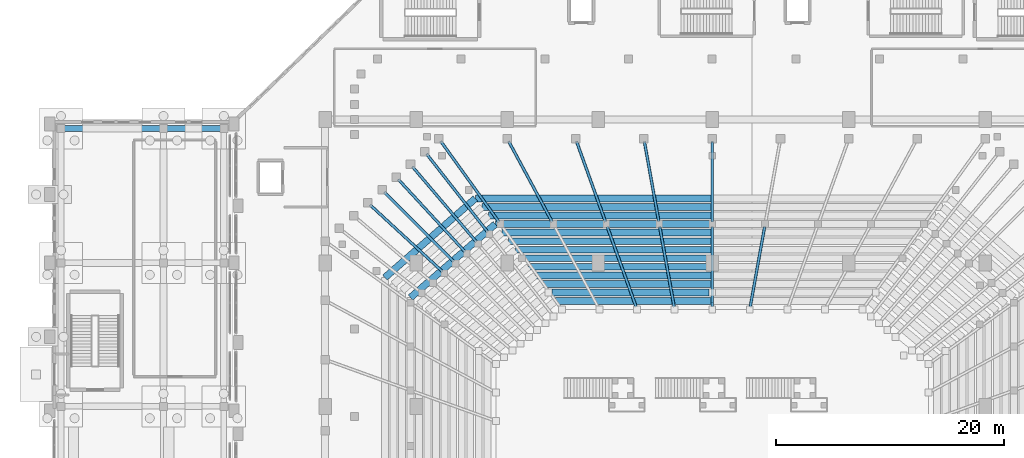
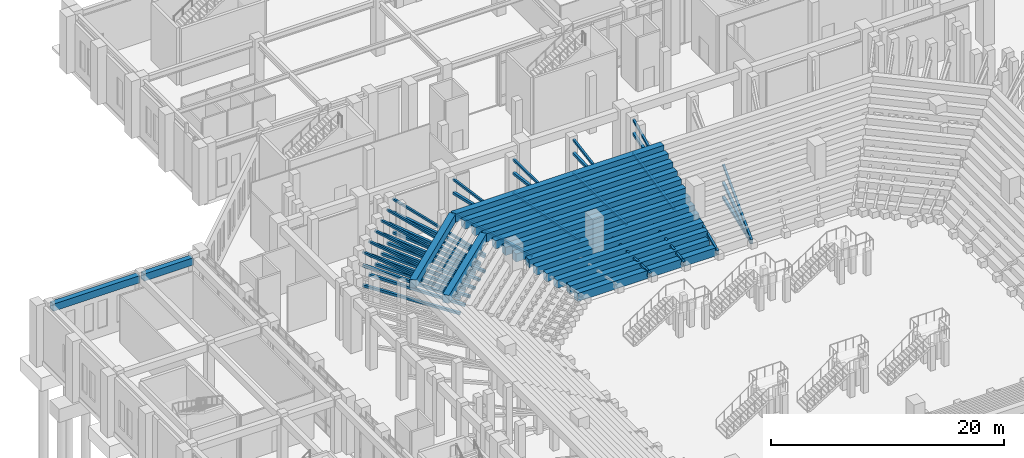
# One storey, part 45 of 143: 42 members, 17 beams.
"""IFC4 building model written with IfcOpenShell, lengths in metres."""

from ifc_helpers import new_model, si_unit, derived_unit, direction, frame, origin, origin_2d, place, context, subcontext, project, spatial, rectangle, hollow_rectangle, extrude, material, material_profile, profile_set, type_object, element, save


model = new_model("IFC4")

# Units and contexts
model_context = context("Model", 3, precision=1e-05, world=origin(), true_north=direction((0.0, 1.0)))
body_context = subcontext(model_context, "Body", "Model", "MODEL_VIEW")
ifc_project = project(units=[si_unit("LENGTHUNIT", "METRE"), si_unit("AREAUNIT", "SQUARE_METRE"), si_unit("VOLUMEUNIT", "CUBIC_METRE"), si_unit("PLANEANGLEUNIT", "RADIAN"), si_unit("MASSUNIT", "GRAM", prefix="KILO"), derived_unit("THERMALTRANSMITTANCEUNIT", [(si_unit("MASSUNIT", "GRAM", prefix="KILO"), 1), (si_unit("TIMEUNIT", "SECOND"), -3), (si_unit("THERMODYNAMICTEMPERATUREUNIT", "KELVIN"), -1)])], contexts=[model_context])

# Site, building, storey
site_placement = place(None, origin())
site = spatial("IfcSite", under=ifc_project, at=site_placement, CompositionType="ELEMENT")
building_placement = place(site_placement, origin())
building = spatial("IfcBuilding", under=site, at=building_placement, Name="Valcora Ridge Arena", CompositionType="ELEMENT")
storey_placement = place(building_placement, origin())
storey = spatial("IfcBuildingStorey", under=building, at=storey_placement, Name="L00", CompositionType="ELEMENT", Elevation=0.0)

# Beams
ifc_material_1 = material(Name="Concrete C40/50", Category="concrete")
ifc_material_profile_1 = material_profile(ifc_material_1, rectangle(XDim=0.60009765625, YDim=0.85009765625, at=origin_2d()), Name="RC 600x850")
ifc_profile_set_1 = profile_set([ifc_material_profile_1], Name="Concrete C40/50")
beam_type_1 = type_object("IfcBeamType", Name="TY-BEAM-B-RC600-X", PredefinedType="BEAM", material=ifc_profile_set_1)
beam_1_placement = place(storey_placement, frame((58.0, 79.64990234375, 0.4150390625), z_axis=(-1.0, 0.0, 0.0), x_axis=(0.0, -1.0, 0.0)))
element("IfcBeam", 1, at=beam_1_placement, inside=storey, type_object=beam_type_1, Name="B-RC600-X BEM-R2-B-RC600-X-0008", PredefinedType="BEAM", context=body_context, shape_type="SweptSolid", body=[
    extrude(rectangle(XDim=0.60009765625, YDim=0.85009765625, at=origin_2d()), origin(), (0.0, 0.0, 1.0), 13.784912109375),
])
beam_2_placement = place(storey_placement, frame((57.719970703125, 80.39990234375, 0.85498046875), z_axis=(-1.0, 0.0, 0.0), x_axis=(0.0, -1.0, 0.0)))
element("IfcBeam", 2, at=beam_2_placement, inside=storey, type_object=beam_type_1, Name="B-RC600-X BEM-R2-B-RC600-X-0020", PredefinedType="BEAM", context=body_context, shape_type="SweptSolid", body=[
    extrude(rectangle(XDim=0.60009765625, YDim=0.85009765625, at=origin_2d()), origin(), (0.0, 0.0, 1.0), 13.81005859375),
])
beam_3_placement = place(storey_placement, frame((58.0, 81.14990234375, 1.294921875), z_axis=(-1.0, 0.0, 0.0), x_axis=(0.0, -1.0, 0.0)))
element("IfcBeam", 3, at=beam_3_placement, inside=storey, type_object=beam_type_1, Name="B-RC600-X BEM-R2-B-RC600-X-0032", PredefinedType="BEAM", context=body_context, shape_type="SweptSolid", body=[
    extrude(rectangle(XDim=0.60009765625, YDim=0.85009765625, at=origin_2d()), origin(), (0.0, 0.0, 1.0), 14.955078125),
])
beam_4_placement = place(storey_placement, frame((58.0, 81.89990234375, 1.735107421875), z_axis=(-1.0, 0.0, 0.0), x_axis=(0.0, -1.0, 0.0)))
element("IfcBeam", 4, at=beam_4_placement, inside=storey, type_object=beam_type_1, Name="B-RC600-X BEM-R2-B-RC600-X-0044", PredefinedType="BEAM", context=body_context, shape_type="SweptSolid", body=[
    extrude(rectangle(XDim=0.60009765625, YDim=0.85009765625, at=origin_2d()), origin(), (0.0, 0.0, 1.0), 15.5400390625),
])
beam_5_placement = place(storey_placement, frame((58.0, 82.64990234375, 2.175048828125), z_axis=(-1.0, 0.0, 0.0), x_axis=(0.0, -1.0, 0.0)))
element("IfcBeam", 5, at=beam_5_placement, inside=storey, type_object=beam_type_1, Name="B-RC600-X BEM-R2-B-RC600-X-0056", PredefinedType="BEAM", context=body_context, shape_type="SweptSolid", body=[
    extrude(rectangle(XDim=0.60009765625, YDim=0.85009765625, at=origin_2d()), origin(), (0.0, 0.0, 1.0), 16.125),
])
beam_6_placement = place(storey_placement, frame((58.0, 83.39990234375, 2.614990234375), z_axis=(-1.0, 0.0, 0.0), x_axis=(0.0, -1.0, 0.0)))
element("IfcBeam", 6, at=beam_6_placement, inside=storey, type_object=beam_type_1, Name="B-RC600-X BEM-R2-B-RC600-X-0068", PredefinedType="BEAM", context=body_context, shape_type="SweptSolid", body=[
    extrude(rectangle(XDim=0.60009765625, YDim=0.85009765625, at=origin_2d()), origin(), (0.0, 0.0, 1.0), 16.429931640625),
])
beam_7_placement = place(storey_placement, frame((58.0, 84.14990234375, 3.054931640625), z_axis=(-1.0, 0.0, 0.0), x_axis=(0.0, -1.0, 0.0)))
element("IfcBeam", 7, at=beam_7_placement, inside=storey, type_object=beam_type_1, Name="B-RC600-X BEM-R2-B-RC600-X-0080", PredefinedType="BEAM", context=body_context, shape_type="SweptSolid", body=[
    extrude(rectangle(XDim=0.60009765625, YDim=0.85009765625, at=origin_2d()), origin(), (0.0, 0.0, 1.0), 17.294921875),
])
beam_8_placement = place(storey_placement, frame((58.0, 84.89990234375, 3.4951171875), z_axis=(-1.0, 0.0, 0.0), x_axis=(0.0, -1.0, 0.0)))
element("IfcBeam", 8, at=beam_8_placement, inside=storey, type_object=beam_type_1, Name="B-RC600-X BEM-R2-B-RC600-X-0092", PredefinedType="BEAM", context=body_context, shape_type="SweptSolid", body=[
    extrude(rectangle(XDim=0.60009765625, YDim=0.85009765625, at=origin_2d()), origin(), (0.0, 0.0, 1.0), 17.8798828125),
])
beam_9_placement = place(storey_placement, frame((58.0, 85.64990234375, 3.93505859375), z_axis=(-1.0, 0.0, 0.0), x_axis=(0.0, -1.0, 0.0)))
element("IfcBeam", 9, at=beam_9_placement, inside=storey, type_object=beam_type_1, Name="B-RC600-X BEM-R2-B-RC600-X-0104", PredefinedType="BEAM", context=body_context, shape_type="SweptSolid", body=[
    extrude(rectangle(XDim=0.60009765625, YDim=0.85009765625, at=origin_2d()), origin(), (0.0, 0.0, 1.0), 18.465087890625),
])
beam_10_placement = place(storey_placement, frame((58.0, 86.39990234375, 4.375), z_axis=(-1.0, 0.0, 0.0), x_axis=(0.0, -1.0, 0.0)))
element("IfcBeam", 10, at=beam_10_placement, inside=storey, type_object=beam_type_1, Name="B-RC600-X BEM-R2-B-RC600-X-0116", PredefinedType="BEAM", context=body_context, shape_type="SweptSolid", body=[
    extrude(rectangle(XDim=0.60009765625, YDim=0.85009765625, at=origin_2d()), origin(), (0.0, 0.0, 1.0), 19.050048828125),
])
beam_11_placement = place(storey_placement, frame((38.949951171875, 86.39990234375, 4.375), z_axis=(-0.756024144683, -0.654543728605, 0.0), x_axis=(0.654543728605, -0.756024144683, 0.0)))
element("IfcBeam", 11, at=beam_11_placement, inside=storey, type_object=beam_type_1, Name="B-RC600-X BEM-R2-B-RC600-X-0117", PredefinedType="BEAM", context=body_context, shape_type="SweptSolid", body=[
    extrude(rectangle(XDim=0.60009765625, YDim=0.85009765625, at=origin_2d()), origin(), (0.0, 0.0, 1.0), 9.85400390625),
])
beam_12_placement = place(storey_placement, frame((58.0, 87.14990234375, 4.81494140625), z_axis=(-1.0, 0.0, 0.0), x_axis=(0.0, -1.0, 0.0)))
element("IfcBeam", 12, at=beam_12_placement, inside=storey, type_object=beam_type_1, Name="B-RC600-X BEM-R2-B-RC600-X-0128", PredefinedType="BEAM", context=body_context, shape_type="SweptSolid", body=[
    extrude(rectangle(XDim=0.60009765625, YDim=0.85009765625, at=origin_2d()), origin(), (0.0, 0.0, 1.0), 19.635009765625),
])
beam_13_placement = place(storey_placement, frame((58.0, 87.89990234375, 5.2548828125), z_axis=(-1.0, 0.0, 0.0), x_axis=(0.0, -1.0, 0.0)))
element("IfcBeam", 13, at=beam_13_placement, inside=storey, type_object=beam_type_1, Name="B-RC600-X BEM-R2-B-RC600-X-0140", PredefinedType="BEAM", context=body_context, shape_type="SweptSolid", body=[
    extrude(rectangle(XDim=0.60009765625, YDim=0.85009765625, at=origin_2d()), origin(), (0.0, 0.0, 1.0), 20.219970703125),
])
beam_14_placement = place(storey_placement, frame((58.0, 88.64990234375, 5.695068359375), z_axis=(-1.0, 0.0, 0.0), x_axis=(0.0, -1.0, 0.0)))
element("IfcBeam", 14, at=beam_14_placement, inside=storey, type_object=beam_type_1, Name="B-RC600-X BEM-R2-B-RC600-X-0152", PredefinedType="BEAM", context=body_context, shape_type="SweptSolid", body=[
    extrude(rectangle(XDim=0.60009765625, YDim=0.85009765625, at=origin_2d()), origin(), (0.0, 0.0, 1.0), 20.804931640625),
])
beam_15_placement = place(storey_placement, frame((37.195068359375, 88.64990234375, 5.695068359375), z_axis=(-0.752910532451, -0.658122883757, 0.0), x_axis=(0.658122883757, -0.752910532451, 0.0)))
element("IfcBeam", 15, at=beam_15_placement, inside=storey, type_object=beam_type_1, Name="B-RC600-X BEM-R2-B-RC600-X-0153", PredefinedType="BEAM", context=body_context, shape_type="SweptSolid", body=[
    extrude(rectangle(XDim=0.60009765625, YDim=0.85009765625, at=origin_2d()), origin(), (0.0, 0.0, 1.0), 10.552490234375),
])
ifc_material_profile_2 = material_profile(ifc_material_1, rectangle(XDim=0.5, YDim=0.75, at=origin_2d()), Name="RC 500x750")
ifc_profile_set_2 = profile_set([ifc_material_profile_2], Name="Concrete C40/50")
beam_type_2 = type_object("IfcBeamType", Name="TY-BEAM-EB-RC500", PredefinedType="BEAM", material=ifc_profile_set_2)
beam_16_placement = place(storey_placement, frame((1.0, 94.800048828125, 5.264892578125), z_axis=(1.0, 0.0, 0.0), x_axis=(0.0, 1.0, 0.0)))
element("IfcBeam", 16, at=beam_16_placement, inside=storey, type_object=beam_type_2, Name="EB-RC500 BEM-EB-RC500-0008", PredefinedType="BEAM", context=body_context, shape_type="SweptSolid", body=[
    extrude(rectangle(XDim=0.5, YDim=0.75, at=origin_2d()), origin(), (0.0, 0.0, 1.0), 8.60009765625),
])
beam_17_placement = place(storey_placement, frame((10.0, 94.800048828125, 5.264892578125), z_axis=(1.0, 0.0, 0.0), x_axis=(0.0, 1.0, 0.0)))
element("IfcBeam", 17, at=beam_17_placement, inside=storey, type_object=beam_type_2, Name="EB-RC500 BEM-EB-RC500-0009", PredefinedType="BEAM", context=body_context, shape_type="SweptSolid", body=[
    extrude(rectangle(XDim=0.5, YDim=0.75, at=origin_2d()), origin(), (0.0, 0.0, 1.0), 4.89990234375),
])

# Members
ifc_material_2 = material(Name="Steel ASTM A500 Grade C", Category="steel")
ifc_material_profile_3 = material_profile(ifc_material_2, hollow_rectangle(XDim=0.25, YDim=0.25, WallThickness=0.012451171875, at=origin_2d()), Name="HSS250X250X12")
ifc_profile_set_3 = profile_set([ifc_material_profile_3], Name="Steel ASTM A500 Grade C")
member_type_1 = type_object("IfcMemberType", Name="TY-MEMBER-RKRC-251", PredefinedType="CHORD", material=ifc_profile_set_3)
member_1_placement = place(storey_placement, frame((61.34130859375, 79.130126953125, 0.3037109375), z_axis=(0.172681642525, 0.959213092315, 0.223810843943), x_axis=(-0.984179158109, 0.177176140445, 0.0)))
element("IfcMember", 18, at=member_1_placement, inside=storey, type_object=member_type_1, Name="RKRC-251 MBR-RK-RKRC-251-0034", PredefinedType="CHORD", context=body_context, shape_type="SweptSolid", body=[
    extrude(hollow_rectangle(XDim=0.25, YDim=0.25, WallThickness=0.012451171875, at=origin_2d()), origin(), (0.0, 0.0, 1.0), 7.339111328125),
])
member_2_placement = place(storey_placement, frame((58.0, 79.1337890625, 0.304443359375), z_axis=(0.0, 0.973834975052, 0.22725633405), x_axis=(-1.0, 0.0, 0.0)))
element("IfcMember", 19, at=member_2_placement, inside=storey, type_object=member_type_1, Name="RKRC-251 MBR-RK-RKRC-251-0035", PredefinedType="CHORD", context=body_context, shape_type="SweptSolid", body=[
    extrude(hollow_rectangle(XDim=0.25, YDim=0.25, WallThickness=0.012451171875, at=origin_2d()), origin(), (0.0, 0.0, 1.0), 7.221435546875),
])
member_3_placement = place(storey_placement, frame((54.65869140625, 79.130126953125, 0.3037109375), z_axis=(-0.172681642525, 0.959213092315, 0.223810843943), x_axis=(-0.984179158109, -0.177176140445, 0.0)))
element("IfcMember", 20, at=member_3_placement, inside=storey, type_object=member_type_1, Name="RKRC-251 MBR-RK-RKRC-251-0036", PredefinedType="CHORD", context=body_context, shape_type="SweptSolid", body=[
    extrude(hollow_rectangle(XDim=0.25, YDim=0.25, WallThickness=0.012451171875, at=origin_2d()), origin(), (0.0, 0.0, 1.0), 7.339111328125),
])
member_4_placement = place(storey_placement, frame((51.320556640625, 79.12060546875, 0.301513671875), z_axis=(-0.330850255217, 0.919000233363, 0.214421733278), x_axis=(-0.940884093102, -0.338728686926, 0.0)))
element("IfcMember", 21, at=member_4_placement, inside=storey, type_object=member_type_1, Name="RKRC-251 MBR-RK-RKRC-251-0037", PredefinedType="CHORD", context=body_context, shape_type="SweptSolid", body=[
    extrude(hollow_rectangle(XDim=0.25, YDim=0.25, WallThickness=0.012451171875, at=origin_2d()), origin(), (0.0, 0.0, 1.0), 7.680908203125),
])
ifc_material_profile_4 = material_profile(ifc_material_2, hollow_rectangle(XDim=0.25, YDim=0.25, WallThickness=0.012451171875, at=origin_2d()), Name="HSS250X250X12")
ifc_profile_set_4 = profile_set([ifc_material_profile_4], Name="Steel ASTM A500 Grade C")
member_type_2 = type_object("IfcMemberType", Name="TY-MEMBER-RKRC-252", PredefinedType="CHORD", material=ifc_profile_set_4)
member_5_placement = place(storey_placement, frame((58.0, 86.62939453125, 2.0703125), z_axis=(0.0, 0.95604885156, 0.293207423901), x_axis=(-1.0, 0.0, 0.0)))
element("IfcMember", 22, at=member_5_placement, inside=storey, type_object=member_type_2, Name="RKRC-252 MBR-RK-RKRC-252-0035", PredefinedType="CHORD", context=body_context, shape_type="SweptSolid", body=[
    extrude(hollow_rectangle(XDim=0.25, YDim=0.25, WallThickness=0.012451171875, at=origin_2d()), origin(), (0.0, 0.0, 1.0), 7.324951171875),
])
member_6_placement = place(storey_placement, frame((53.309326171875, 86.626220703125, 2.0693359375), z_axis=(-0.169586463924, 0.942209005154, 0.288933594204), x_axis=(-0.984185355806, -0.177141709985, 0.0)))
element("IfcMember", 23, at=member_6_placement, inside=storey, type_object=member_type_2, Name="RKRC-252 MBR-RK-RKRC-252-0036", PredefinedType="CHORD", context=body_context, shape_type="SweptSolid", body=[
    extrude(hollow_rectangle(XDim=0.25, YDim=0.25, WallThickness=0.012451171875, at=origin_2d()), origin(), (0.0, 0.0, 1.0), 7.43994140625),
])
member_7_placement = place(storey_placement, frame((48.621826171875, 86.616943359375, 2.06640625), z_axis=(-0.325435833964, 0.904005869091, 0.277245210277), x_axis=(-0.940889494564, -0.338713682953, 0.0)))
element("IfcMember", 24, at=member_7_placement, inside=storey, type_object=member_type_2, Name="RKRC-252 MBR-RK-RKRC-252-0037", PredefinedType="CHORD", context=body_context, shape_type="SweptSolid", body=[
    extrude(hollow_rectangle(XDim=0.25, YDim=0.25, WallThickness=0.012451171875, at=origin_2d()), origin(), (0.0, 0.0, 1.0), 7.776611328125),
])
member_8_placement = place(storey_placement, frame((43.93994140625, 86.60400390625, 2.0625), z_axis=(-0.458754301342, 0.849512352792, 0.260524957449), x_axis=(-0.879897762683, -0.475163053304, 0.0)))
element("IfcMember", 25, at=member_8_placement, inside=storey, type_object=member_type_2, Name="RKRC-252 MBR-RK-RKRC-252-0038", PredefinedType="CHORD", context=body_context, shape_type="SweptSolid", body=[
    extrude(hollow_rectangle(XDim=0.25, YDim=0.25, WallThickness=0.012451171875, at=origin_2d()), origin(), (0.0, 0.0, 1.0), 8.308349609375),
])
member_9_placement = place(storey_placement, frame((39.263916015625, 86.589111328125, 2.05810546875), z_axis=(-0.567023988691, 0.787504695115, 0.241495655075), x_axis=(-0.811524271205, -0.584318712044, 0.0)))
element("IfcMember", 26, at=member_9_placement, inside=storey, type_object=member_type_2, Name="RKRC-252 MBR-RK-RKRC-252-0039", PredefinedType="CHORD", context=body_context, shape_type="SweptSolid", body=[
    extrude(hollow_rectangle(XDim=0.25, YDim=0.25, WallThickness=0.012451171875, at=origin_2d()), origin(), (0.0, 0.0, 1.0), 9.003662109375),
])
member_10_placement = place(storey_placement, frame((38.26904296875, 85.720947265625, 2.058349609375), z_axis=(-0.597760906174, 0.76402679326, 0.242785827904), x_axis=(-0.787591600786, -0.616197590364, 0.0)))
element("IfcMember", 27, at=member_10_placement, inside=storey, type_object=member_type_2, Name="RKRC-252 MBR-RK-RKRC-252-0040", PredefinedType="CHORD", context=body_context, shape_type="SweptSolid", body=[
    extrude(hollow_rectangle(XDim=0.25, YDim=0.25, WallThickness=0.012451171875, at=origin_2d()), origin(), (0.0, 0.0, 1.0), 8.95263671875),
])
member_11_placement = place(storey_placement, frame((37.2744140625, 84.852294921875, 2.05859375), z_axis=(-0.627887993497, 0.739162056186, 0.243713196848), x_axis=(-0.762142679465, -0.647409094884, 0.0)))
element("IfcMember", 28, at=member_11_placement, inside=storey, type_object=member_type_2, Name="RKRC-252 MBR-RK-RKRC-252-0041", PredefinedType="CHORD", context=body_context, shape_type="SweptSolid", body=[
    extrude(hollow_rectangle(XDim=0.25, YDim=0.25, WallThickness=0.012451171875, at=origin_2d()), origin(), (0.0, 0.0, 1.0), 8.91650390625),
])
member_12_placement = place(storey_placement, frame((36.27978515625, 83.983642578125, 2.05859375), z_axis=(-0.657223207673, 0.712998247682, 0.244317731853), x_axis=(-0.735280759397, -0.677762646404, 0.0)))
element("IfcMember", 29, at=member_12_placement, inside=storey, type_object=member_type_2, Name="RKRC-252 MBR-RK-RKRC-252-0042", PredefinedType="CHORD", context=body_context, shape_type="SweptSolid", body=[
    extrude(hollow_rectangle(XDim=0.25, YDim=0.25, WallThickness=0.012451171875, at=origin_2d()), origin(), (0.0, 0.0, 1.0), 8.89453125),
])
member_13_placement = place(storey_placement, frame((35.285400390625, 83.114501953125, 2.05859375), z_axis=(-0.685647133056, 0.685647133056, 0.244491345174), x_axis=(-0.707106781187, -0.707106781187, 0.0)))
element("IfcMember", 30, at=member_13_placement, inside=storey, type_object=member_type_2, Name="RKRC-252 MBR-RK-RKRC-252-0043", PredefinedType="CHORD", context=body_context, shape_type="SweptSolid", body=[
    extrude(hollow_rectangle(XDim=0.25, YDim=0.25, WallThickness=0.012451171875, at=origin_2d()), origin(), (0.0, 0.0, 1.0), 8.88720703125),
])
member_14_placement = place(storey_placement, frame((34.29150390625, 82.2451171875, 2.05859375), z_axis=(-0.712985385494, 0.657238799494, 0.244313324464), x_axis=(-0.677777949343, -0.735266653252, 0.0)))
element("IfcMember", 31, at=member_14_placement, inside=storey, type_object=member_type_2, Name="RKRC-252 MBR-RK-RKRC-252-0044", PredefinedType="CHORD", context=body_context, shape_type="SweptSolid", body=[
    extrude(hollow_rectangle(XDim=0.25, YDim=0.25, WallThickness=0.012451171875, at=origin_2d()), origin(), (0.0, 0.0, 1.0), 8.894775390625),
])
ifc_material_profile_5 = material_profile(ifc_material_2, hollow_rectangle(XDim=0.25, YDim=0.25, WallThickness=0.012451171875, at=origin_2d()), Name="HSS250X250X12")
ifc_profile_set_5 = profile_set([ifc_material_profile_5], Name="Steel ASTM A500 Grade C")
member_type_3 = type_object("IfcMemberType", Name="TY-MEMBER-RKRC-254", PredefinedType="CHORD", material=ifc_profile_set_5)
member_15_placement = place(storey_placement, frame((61.342529296875, 79.13623046875, 0.39990234375), z_axis=(0.177143062941, 0.984185112289, 0.0), x_axis=(-0.984185112289, 0.177143062941, 0.0)))
element("IfcMember", 32, at=member_15_placement, inside=storey, type_object=member_type_3, Name="RKRC-254 MBR-RK-RKRC-254-0034", PredefinedType="CHORD", context=body_context, shape_type="SweptSolid", body=[
    extrude(hollow_rectangle(XDim=0.25, YDim=0.25, WallThickness=0.012451171875, at=origin_2d()), origin(), (0.0, 0.0, 1.0), 7.140625),
])
member_16_placement = place(storey_placement, frame((58.0, 79.139892578125, 0.39990234375), z_axis=(0.0, 1.0, 0.0), x_axis=(-1.0, 0.0, 0.0)))
element("IfcMember", 33, at=member_16_placement, inside=storey, type_object=member_type_3, Name="RKRC-254 MBR-RK-RKRC-254-0035", PredefinedType="CHORD", context=body_context, shape_type="SweptSolid", body=[
    extrude(hollow_rectangle(XDim=0.25, YDim=0.25, WallThickness=0.012451171875, at=origin_2d()), origin(), (0.0, 0.0, 1.0), 7.02001953125),
])
member_17_placement = place(storey_placement, frame((54.657470703125, 79.13623046875, 0.39990234375), z_axis=(-0.177143062941, 0.984185112289, 0.0), x_axis=(-0.984185112289, -0.177143062941, 0.0)))
element("IfcMember", 34, at=member_17_placement, inside=storey, type_object=member_type_3, Name="RKRC-254 MBR-RK-RKRC-254-0036", PredefinedType="CHORD", context=body_context, shape_type="SweptSolid", body=[
    extrude(hollow_rectangle(XDim=0.25, YDim=0.25, WallThickness=0.012451171875, at=origin_2d()), origin(), (0.0, 0.0, 1.0), 7.140625),
])
member_18_placement = place(storey_placement, frame((51.318603515625, 79.125732421875, 0.39990234375), z_axis=(-0.338703311925, 0.940893227997, 0.0), x_axis=(-0.940893227997, -0.338703311925, 0.0)))
element("IfcMember", 35, at=member_18_placement, inside=storey, type_object=member_type_3, Name="RKRC-254 MBR-RK-RKRC-254-0037", PredefinedType="CHORD", context=body_context, shape_type="SweptSolid", body=[
    extrude(hollow_rectangle(XDim=0.25, YDim=0.25, WallThickness=0.012451171875, at=origin_2d()), origin(), (0.0, 0.0, 1.0), 7.491455078125),
])
ifc_material_profile_6 = material_profile(ifc_material_2, hollow_rectangle(XDim=0.25, YDim=0.25, WallThickness=0.012451171875, at=origin_2d()), Name="HSS250X250X12")
ifc_profile_set_6 = profile_set([ifc_material_profile_6], Name="Steel ASTM A500 Grade C")
member_type_4 = type_object("IfcMemberType", Name="TY-MEMBER-RKRC-255", PredefinedType="CHORD", material=ifc_profile_set_6)
member_19_placement = place(storey_placement, frame((58.0, 86.6337890625, 0.50439453125), z_axis=(0.0, 0.973832432234, 0.227267230214), x_axis=(-1.0, 0.0, 0.0)))
element("IfcMember", 36, at=member_19_placement, inside=storey, type_object=member_type_4, Name="RKRC-255 MBR-RK-RKRC-255-0035", PredefinedType="CHORD", context=body_context, shape_type="SweptSolid", body=[
    extrude(hollow_rectangle(XDim=0.25, YDim=0.25, WallThickness=0.012451171875, at=origin_2d()), origin(), (0.0, 0.0, 1.0), 7.181396484375),
])
member_20_placement = place(storey_placement, frame((53.30859375, 86.630126953125, 0.503662109375), z_axis=(-0.172663767621, 0.959217137557, 0.223807297395), x_axis=(-0.984182486251, -0.177157652266, 0.0)))
element("IfcMember", 37, at=member_20_placement, inside=storey, type_object=member_type_4, Name="RKRC-255 MBR-RK-RKRC-255-0036", PredefinedType="CHORD", context=body_context, shape_type="SweptSolid", body=[
    extrude(hollow_rectangle(XDim=0.25, YDim=0.25, WallThickness=0.012451171875, at=origin_2d()), origin(), (0.0, 0.0, 1.0), 7.298828125),
])
member_21_placement = place(storey_placement, frame((48.62060546875, 86.62060546875, 0.50146484375), z_axis=(-0.330860021706, 0.91899526261, 0.214427967713), x_axis=(-0.940880322384, -0.338739160639, 0.0)))
element("IfcMember", 38, at=member_21_placement, inside=storey, type_object=member_type_4, Name="RKRC-255 MBR-RK-RKRC-255-0037", PredefinedType="CHORD", context=body_context, shape_type="SweptSolid", body=[
    extrude(hollow_rectangle(XDim=0.25, YDim=0.25, WallThickness=0.012451171875, at=origin_2d()), origin(), (0.0, 0.0, 1.0), 7.640869140625),
])
member_22_placement = place(storey_placement, frame((43.938232421875, 86.60693359375, 0.498291015625), z_axis=(-0.465430848581, 0.861928872886, 0.201128673427), x_axis=(-0.87990998272, -0.475140423781, 0.0)))
element("IfcMember", 39, at=member_22_placement, inside=storey, type_object=member_type_4, Name="RKRC-255 MBR-RK-RKRC-255-0038", PredefinedType="CHORD", context=body_context, shape_type="SweptSolid", body=[
    extrude(hollow_rectangle(XDim=0.25, YDim=0.25, WallThickness=0.012451171875, at=origin_2d()), origin(), (0.0, 0.0, 1.0), 8.181396484375),
])
member_23_placement = place(storey_placement, frame((39.26220703125, 86.59130859375, 0.49462890625), z_axis=(-0.574105087517, 0.797362071684, 0.18605664494), x_axis=(-0.811532219938, -0.58430767238, 0.0)))
element("IfcMember", 40, at=member_23_placement, inside=storey, type_object=member_type_4, Name="RKRC-255 MBR-RK-RKRC-255-0039", PredefinedType="CHORD", context=body_context, shape_type="SweptSolid", body=[
    extrude(hollow_rectangle(XDim=0.25, YDim=0.25, WallThickness=0.012451171875, at=origin_2d()), origin(), (0.0, 0.0, 1.0), 8.88623046875),
])
member_24_placement = place(storey_placement, frame((38.26708984375, 85.72314453125, 0.494873046875), z_axis=(-0.605311535038, 0.773690058732, 0.187087248549), x_axis=(-0.787596411335, -0.616191441722, 0.0)))
element("IfcMember", 41, at=member_24_placement, inside=storey, type_object=member_type_4, Name="RKRC-255 MBR-RK-RKRC-255-0040", PredefinedType="CHORD", context=body_context, shape_type="SweptSolid", body=[
    extrude(hollow_rectangle(XDim=0.25, YDim=0.25, WallThickness=0.012451171875, at=origin_2d()), origin(), (0.0, 0.0, 1.0), 8.83447265625),
])
member_25_placement = place(storey_placement, frame((37.2724609375, 84.854736328125, 0.4951171875), z_axis=(-0.635901587114, 0.748568418608, 0.187815053091), x_axis=(-0.762130988109, -0.647422857925, 0.0)))
element("IfcMember", 42, at=member_25_placement, inside=storey, type_object=member_type_4, Name="RKRC-255 MBR-RK-RKRC-255-0041", PredefinedType="CHORD", context=body_context, shape_type="SweptSolid", body=[
    extrude(hollow_rectangle(XDim=0.25, YDim=0.25, WallThickness=0.012451171875, at=origin_2d()), origin(), (0.0, 0.0, 1.0), 8.797607421875),
])
member_26_placement = place(storey_placement, frame((36.277587890625, 83.98583984375, 0.4951171875), z_axis=(-0.665649507095, 0.722126498627, 0.188265912167), x_axis=(-0.735274611708, -0.677769315754, 0.0)))
element("IfcMember", 43, at=member_26_placement, inside=storey, type_object=member_type_4, Name="RKRC-255 MBR-RK-RKRC-255-0042", PredefinedType="CHORD", context=body_context, shape_type="SweptSolid", body=[
    extrude(hollow_rectangle(XDim=0.25, YDim=0.25, WallThickness=0.012451171875, at=origin_2d()), origin(), (0.0, 0.0, 1.0), 8.775390625),
])
member_27_placement = place(storey_placement, frame((35.283203125, 83.11669921875, 0.4951171875), z_axis=(-0.694440992123, 0.694440992123, 0.188423504158), x_axis=(-0.707106781187, -0.707106781187, 0.0)))
element("IfcMember", 44, at=member_27_placement, inside=storey, type_object=member_type_4, Name="RKRC-255 MBR-RK-RKRC-255-0043", PredefinedType="CHORD", context=body_context, shape_type="SweptSolid", body=[
    extrude(hollow_rectangle(XDim=0.25, YDim=0.25, WallThickness=0.012451171875, at=origin_2d()), origin(), (0.0, 0.0, 1.0), 8.76806640625),
])
member_28_placement = place(storey_placement, frame((34.289306640625, 82.247314453125, 0.4951171875), z_axis=(-0.722139811587, 0.665636134069, 0.188262129869), x_axis=(-0.677755198895, -0.735287624247, 0.0)))
element("IfcMember", 45, at=member_28_placement, inside=storey, type_object=member_type_4, Name="RKRC-255 MBR-RK-RKRC-255-0044", PredefinedType="CHORD", context=body_context, shape_type="SweptSolid", body=[
    extrude(hollow_rectangle(XDim=0.25, YDim=0.25, WallThickness=0.012451171875, at=origin_2d()), origin(), (0.0, 0.0, 1.0), 8.775634765625),
])
ifc_material_profile_7 = material_profile(ifc_material_2, hollow_rectangle(XDim=0.199951171875, YDim=0.199951171875, WallThickness=0.012451171875, at=origin_2d()), Name="HSS200X200X12")
ifc_profile_set_7 = profile_set([ifc_material_profile_7], Name="Steel ASTM A500 Grade C")
member_type_5 = type_object("IfcMemberType", Name="TY-MEMBER-RKRD-202", PredefinedType="BRACE", material=ifc_profile_set_7)
member_29_placement = place(storey_placement, frame((58.0, 86.616455078125, 2.25390625), z_axis=(0.0, 0.901523057468, 0.432731067585), x_axis=(-1.0, 0.0, 0.0)))
element("IfcMember", 46, at=member_29_placement, inside=storey, type_object=member_type_5, Name="RKRD-202 Raker Diagonal Brace", PredefinedType="BRACE", context=body_context, shape_type="SweptSolid", body=[
    extrude(hollow_rectangle(XDim=0.199951171875, YDim=0.199951171875, WallThickness=0.012451171875, at=origin_2d()), origin(), (0.0, 0.0, 1.0), 7.79931640625),
])
member_30_placement = place(storey_placement, frame((53.3115234375, 86.613525390625, 2.25244140625), z_axis=(-0.160163827431, 0.889884796783, 0.427144702456), x_axis=(-0.984186300312, -0.177136462308, 0.0)))
element("IfcMember", 47, at=member_30_placement, inside=storey, type_object=member_type_5, Name="RKRD-202 Raker Diagonal Brace", PredefinedType="BRACE", context=body_context, shape_type="SweptSolid", body=[
    extrude(hollow_rectangle(XDim=0.199951171875, YDim=0.199951171875, WallThickness=0.012451171875, at=origin_2d()), origin(), (0.0, 0.0, 1.0), 7.908203125),
])
member_31_placement = place(storey_placement, frame((48.6259765625, 86.605712890625, 2.248779296875), z_axis=(-0.308702201603, 0.857492925697, 0.411593043071), x_axis=(-0.940885751403, -0.338724080643, 0.0)))
element("IfcMember", 48, at=member_31_placement, inside=storey, type_object=member_type_5, Name="RKRD-202 Raker Diagonal Brace", PredefinedType="BRACE", context=body_context, shape_type="SweptSolid", body=[
    extrude(hollow_rectangle(XDim=0.199951171875, YDim=0.199951171875, WallThickness=0.012451171875, at=origin_2d()), origin(), (0.0, 0.0, 1.0), 8.2265625),
])
member_32_placement = place(storey_placement, frame((43.94482421875, 86.594482421875, 2.243408203125), z_axis=(-0.437693359404, 0.810582604915, 0.38907629553), x_axis=(-0.879915040471, -0.47513105724, 0.0)))
element("IfcMember", 49, at=member_32_placement, inside=storey, type_object=member_type_5, Name="RKRD-202 Raker Diagonal Brace", PredefinedType="BRACE", context=body_context, shape_type="SweptSolid", body=[
    extrude(hollow_rectangle(XDim=0.199951171875, YDim=0.199951171875, WallThickness=0.012451171875, at=origin_2d()), origin(), (0.0, 0.0, 1.0), 8.732666015625),
])
member_33_placement = place(storey_placement, frame((39.269287109375, 86.58154296875, 2.237060546875), z_axis=(-0.544461556615, 0.756177844911, 0.362983030229), x_axis=(-0.811527467141, -0.58431427338, 0.0)))
element("IfcMember", 50, at=member_33_placement, inside=storey, type_object=member_type_5, Name="RKRD-202 Raker Diagonal Brace", PredefinedType="BRACE", context=body_context, shape_type="SweptSolid", body=[
    extrude(hollow_rectangle(XDim=0.199951171875, YDim=0.199951171875, WallThickness=0.012451171875, at=origin_2d()), origin(), (0.0, 0.0, 1.0), 9.398193359375),
])
member_34_placement = place(storey_placement, frame((38.27490234375, 85.71337890625, 2.237548828125), z_axis=(-0.573746660792, 0.733320930048, 0.364767299499), x_axis=(-0.787586663126, -0.616203901371, 0.0)))
element("IfcMember", 51, at=member_34_placement, inside=storey, type_object=member_type_5, Name="RKRD-202 Raker Diagonal Brace", PredefinedType="BRACE", context=body_context, shape_type="SweptSolid", body=[
    extrude(hollow_rectangle(XDim=0.199951171875, YDim=0.199951171875, WallThickness=0.012451171875, at=origin_2d()), origin(), (0.0, 0.0, 1.0), 9.349609375),
])
member_35_placement = place(storey_placement, frame((37.280517578125, 84.84521484375, 2.23779296875), z_axis=(-0.602480714626, 0.709237172934, 0.366059586725), x_axis=(-0.762135952051, -0.647417014444, 0.0)))
element("IfcMember", 52, at=member_35_placement, inside=storey, type_object=member_type_5, Name="RKRD-202 Raker Diagonal Brace", PredefinedType="BRACE", context=body_context, shape_type="SweptSolid", body=[
    extrude(hollow_rectangle(XDim=0.199951171875, YDim=0.199951171875, WallThickness=0.012451171875, at=origin_2d()), origin(), (0.0, 0.0, 1.0), 9.314453125),
])
member_36_placement = place(storey_placement, frame((36.2861328125, 83.976806640625, 2.238037109375), z_axis=(-0.630521847904, 0.684008889375, 0.366843343366), x_axis=(-0.735269897911, -0.677774429457, 0.0)))
element("IfcMember", 53, at=member_36_placement, inside=storey, type_object=member_type_5, Name="RKRD-202 Raker Diagonal Brace", PredefinedType="BRACE", context=body_context, shape_type="SweptSolid", body=[
    extrude(hollow_rectangle(XDim=0.199951171875, YDim=0.199951171875, WallThickness=0.012451171875, at=origin_2d()), origin(), (0.0, 0.0, 1.0), 9.293212890625),
])
member_37_placement = place(storey_placement, frame((35.2919921875, 83.10791015625, 2.238037109375), z_axis=(-0.657732417074, 0.657732417074, 0.367118693422), x_axis=(-0.707106781187, -0.707106781187, 0.0)))
element("IfcMember", 54, at=member_37_placement, inside=storey, type_object=member_type_5, Name="RKRD-202 Raker Diagonal Brace", PredefinedType="BRACE", context=body_context, shape_type="SweptSolid", body=[
    extrude(hollow_rectangle(XDim=0.199951171875, YDim=0.199951171875, WallThickness=0.012451171875, at=origin_2d()), origin(), (0.0, 0.0, 1.0), 9.286376953125),
])
member_38_placement = place(storey_placement, frame((34.29833984375, 82.23876953125, 2.238037109375), z_axis=(-0.684022868447, 0.630510517919, 0.366836751478), x_axis=(-0.677760356589, -0.735282870083, 0.0)))
element("IfcMember", 55, at=member_38_placement, inside=storey, type_object=member_type_5, Name="RKRD-202 Raker Diagonal Brace", PredefinedType="BRACE", context=body_context, shape_type="SweptSolid", body=[
    extrude(hollow_rectangle(XDim=0.199951171875, YDim=0.199951171875, WallThickness=0.012451171875, at=origin_2d()), origin(), (0.0, 0.0, 1.0), 9.29345703125),
])
ifc_material_profile_8 = material_profile(ifc_material_2, hollow_rectangle(XDim=0.199951171875, YDim=0.199951171875, WallThickness=0.012451171875, at=origin_2d()), Name="HSS200X200X12")
ifc_profile_set_8 = profile_set([ifc_material_profile_8], Name="Steel ASTM A500 Grade C")
member_type_6 = type_object("IfcMemberType", Name="TY-MEMBER-RKRD-204", PredefinedType="BRACE", material=ifc_profile_set_8)
member_39_placement = place(storey_placement, frame((61.3388671875, 79.11572265625, 0.597900390625), z_axis=(0.161765508608, 0.898790399294, 0.40744047217), x_axis=(-0.984186524197, 0.177135218374, 0.0)))
element("IfcMember", 56, at=member_39_placement, inside=storey, type_object=member_type_6, Name="RKRD-204 Raker Diagonal Brace", PredefinedType="BRACE", context=body_context, shape_type="SweptSolid", body=[
    extrude(hollow_rectangle(XDim=0.199951171875, YDim=0.199951171875, WallThickness=0.012451171875, at=origin_2d()), origin(), (0.0, 0.0, 1.0), 7.864501953125),
])
member_40_placement = place(storey_placement, frame((58.0, 79.11865234375, 0.59912109375), z_axis=(0.0, 0.910787582671, 0.412875258707), x_axis=(-1.0, 0.0, 0.0)))
element("IfcMember", 57, at=member_40_placement, inside=storey, type_object=member_type_6, Name="RKRD-204 Raker Diagonal Brace", PredefinedType="BRACE", context=body_context, shape_type="SweptSolid", body=[
    extrude(hollow_rectangle(XDim=0.199951171875, YDim=0.199951171875, WallThickness=0.012451171875, at=origin_2d()), origin(), (0.0, 0.0, 1.0), 7.754638671875),
])
member_41_placement = place(storey_placement, frame((54.6611328125, 79.11572265625, 0.597900390625), z_axis=(-0.161765508608, 0.898790399294, 0.40744047217), x_axis=(-0.984186524197, -0.177135218374, 0.0)))
element("IfcMember", 58, at=member_41_placement, inside=storey, type_object=member_type_6, Name="RKRD-204 Raker Diagonal Brace", PredefinedType="BRACE", context=body_context, shape_type="SweptSolid", body=[
    extrude(hollow_rectangle(XDim=0.199951171875, YDim=0.199951171875, WallThickness=0.012451171875, at=origin_2d()), origin(), (0.0, 0.0, 1.0), 7.864501953125),
])
member_42_placement = place(storey_placement, frame((51.3251953125, 79.107666015625, 0.59423828125), z_axis=(-0.311539907337, 0.865458220468, 0.392332709268), x_axis=(-0.940896091492, -0.338695357239, 0.0)))
element("IfcMember", 59, at=member_42_placement, inside=storey, type_object=member_type_6, Name="RKRD-204 Raker Diagonal Brace", PredefinedType="BRACE", context=body_context, shape_type="SweptSolid", body=[
    extrude(hollow_rectangle(XDim=0.199951171875, YDim=0.199951171875, WallThickness=0.012451171875, at=origin_2d()), origin(), (0.0, 0.0, 1.0), 8.18603515625),
])

save(model, "model.ifc")
